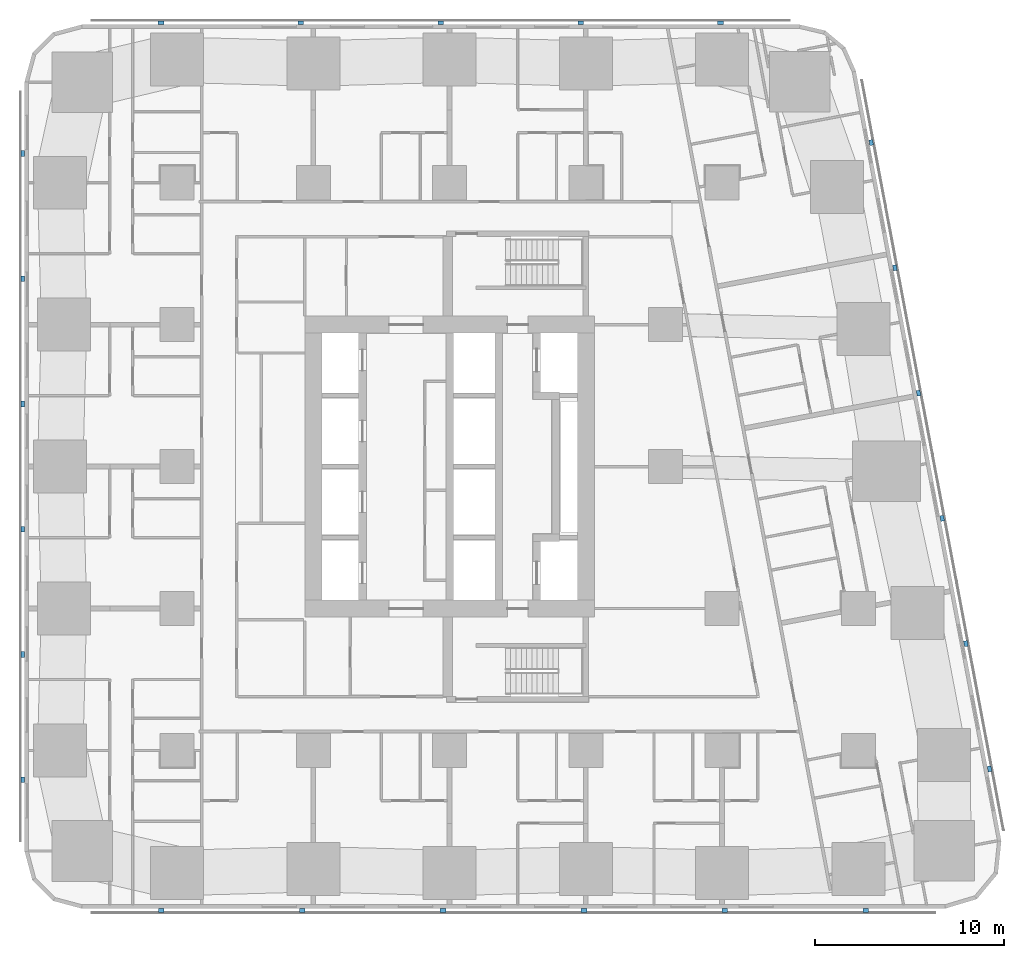
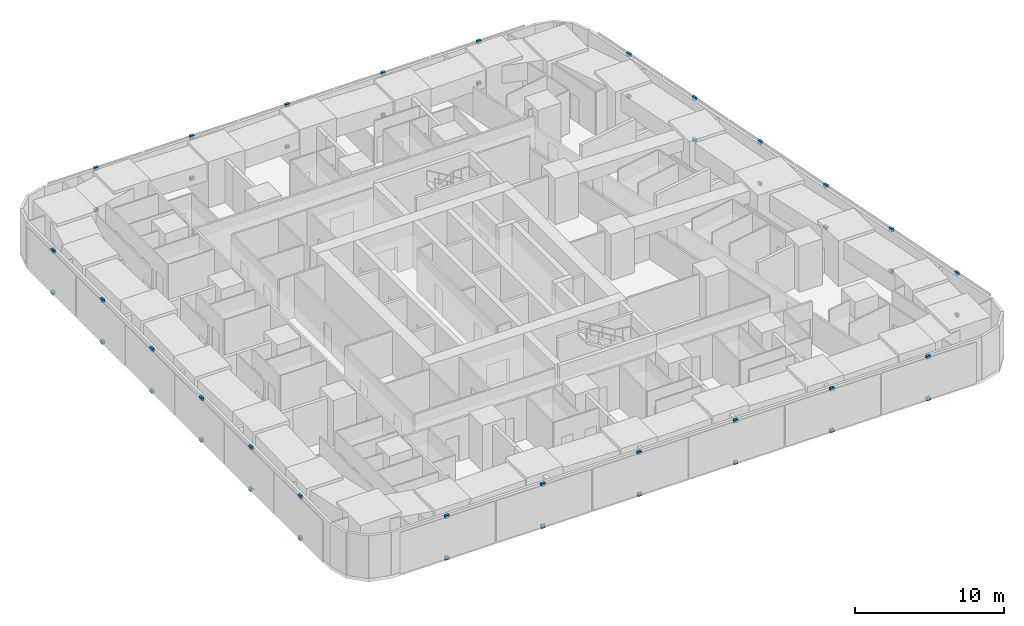
# One storey, part 11 of 15: 46 discrete accessories.
"""IFC4 building model written with IfcOpenShell, lengths in metres."""

from ifc_helpers import new_model, si_unit, direction, frame, origin, origin_2d, place, context, subcontext, project, spatial, rectangle, extrude, material, type_object, element, save


model = new_model("IFC4")

# Units and contexts
model_context = context("Model", 3, precision=1e-05, world=origin(), true_north=direction((0.0, 1.0)))
body_context = subcontext(model_context, "Body", "Model", "MODEL_VIEW")
ifc_project = project(units=[si_unit("LENGTHUNIT", "METRE"), si_unit("AREAUNIT", "SQUARE_METRE"), si_unit("VOLUMEUNIT", "CUBIC_METRE"), si_unit("PLANEANGLEUNIT", "RADIAN"), si_unit("MASSUNIT", "GRAM", prefix="KILO")], contexts=[model_context])

# Site, building, storey
site_placement = place(None, origin())
site = spatial("IfcSite", under=ifc_project, at=site_placement, CompositionType="ELEMENT")
building_placement = place(site_placement, origin())
building = spatial("IfcBuilding", under=site, at=building_placement, Name="Sheger Commons Tower", CompositionType="ELEMENT")
storey_placement = place(building_placement, frame((0.0, 0.0, 42.5)))
storey = spatial("IfcBuildingStorey", under=building, at=storey_placement, Name="L10", CompositionType="ELEMENT", Elevation=42.5)

# Discrete accessories
ifc_material = material(Name="Black painted steel bracket", Category="steel")
discrete_accessory_type = type_object("IfcDiscreteAccessoryType", Name="SCREEN BRACKET 300x200x250", PredefinedType="BRACKET", material=ifc_material)
for number, where, z_axis, x_axis, name in (
    (1, (6.37109375, -0.949951171875, -0.10009765625), (0.0, 0.0, 1.0), (1.0, 0.0, 0.0), "Solar screen foot bracket"),
    (2, (6.37109375, -0.949951171875, 3.300048828125), (0.0, 0.0, 1.0), (1.0, 0.0, 0.0), "Solar screen head bracket"),
    (3, (13.81396484375, -0.949951171875, -0.10009765625), (0.0, 0.0, 1.0), (1.0, 0.0, 0.0), "Solar screen foot bracket"),
    (4, (13.81396484375, -0.949951171875, 3.300048828125), (0.0, 0.0, 1.0), (1.0, 0.0, 0.0), "Solar screen head bracket"),
    (5, (21.257080078125, -0.949951171875, -0.10009765625), (0.0, 0.0, 1.0), (1.0, 0.0, 0.0), "Solar screen foot bracket"),
    (6, (21.257080078125, -0.949951171875, 3.300048828125), (0.0, 0.0, 1.0), (1.0, 0.0, 0.0), "Solar screen head bracket"),
    (7, (28.698974609375, -0.949951171875, -0.10009765625), (0.0, 0.0, 1.0), (1.0, 0.0, 0.0), "Solar screen foot bracket"),
    (8, (28.698974609375, -0.949951171875, 3.300048828125), (0.0, 0.0, 1.0), (1.0, 0.0, 0.0), "Solar screen head bracket"),
    (9, (36.14208984375, -0.949951171875, -0.10009765625), (0.0, 0.0, 1.0), (1.0, 0.0, 0.0), "Solar screen foot bracket"),
    (10, (36.14208984375, -0.949951171875, 3.300048828125), (0.0, 0.0, 1.0), (1.0, 0.0, 0.0), "Solar screen head bracket"),
    (11, (43.5849609375, -0.949951171875, -0.10009765625), (0.0, 0.0, 1.0), (1.0, 0.0, 0.0), "Solar screen foot bracket"),
    (12, (43.5849609375, -0.949951171875, 3.300048828125), (0.0, 0.0, 1.0), (1.0, 0.0, 0.0), "Solar screen head bracket"),
    (13, (50.134033203125, 6.527099609375, -0.10009765625), (0.0, 0.0, 1.0), (-0.185615165645, 0.982622516678, 0.0), "Solar screen foot bracket"),
    (14, (50.134033203125, 6.527099609375, 3.300048828125), (0.0, 0.0, 1.0), (-0.185615165645, 0.982622516678, 0.0), "Solar screen head bracket"),
    (15, (48.884033203125, 13.14599609375, -0.10009765625), (0.0, 0.0, 1.0), (-0.185615165645, 0.982622516678, 0.0), "Solar screen foot bracket"),
    (16, (48.884033203125, 13.14599609375, 3.300048828125), (0.0, 0.0, 1.0), (-0.185615165645, 0.982622516678, 0.0), "Solar screen head bracket"),
    (17, (47.633056640625, 19.76611328125, -0.10009765625), (0.0, 0.0, 1.0), (-0.185615165645, 0.982622516678, 0.0), "Solar screen foot bracket"),
    (18, (47.633056640625, 19.76611328125, 3.300048828125), (0.0, 0.0, 1.0), (-0.185615165645, 0.982622516678, 0.0), "Solar screen head bracket"),
    (19, (46.383056640625, 26.385009765625, -0.10009765625), (0.0, 0.0, 1.0), (-0.185615165645, 0.982622516678, 0.0), "Solar screen foot bracket"),
    (20, (46.383056640625, 26.385009765625, 3.300048828125), (0.0, 0.0, 1.0), (-0.185615165645, 0.982622516678, 0.0), "Solar screen head bracket"),
    (21, (45.133056640625, 33.0048828125, -0.10009765625), (0.0, 0.0, 1.0), (-0.185615165645, 0.982622516678, 0.0), "Solar screen foot bracket"),
    (22, (45.133056640625, 33.0048828125, 3.300048828125), (0.0, 0.0, 1.0), (-0.185615165645, 0.982622516678, 0.0), "Solar screen head bracket"),
    (23, (43.882080078125, 39.6240234375, -0.10009765625), (0.0, 0.0, 1.0), (-0.185615165645, 0.982622516678, 0.0), "Solar screen foot bracket"),
    (24, (43.882080078125, 39.6240234375, 3.300048828125), (0.0, 0.0, 1.0), (-0.185615165645, 0.982622516678, 0.0), "Solar screen head bracket"),
    (25, (35.9208984375, 45.949951171875, -0.10009765625), (0.0, 0.0, 1.0), (-1.0, 0.0, 0.0), "Solar screen foot bracket"),
    (26, (35.9208984375, 45.949951171875, 3.300048828125), (0.0, 0.0, 1.0), (-1.0, 0.0, 0.0), "Solar screen head bracket"),
    (27, (28.528076171875, 45.949951171875, -0.10009765625), (0.0, 0.0, 1.0), (-1.0, 0.0, 0.0), "Solar screen foot bracket"),
    (28, (28.528076171875, 45.949951171875, 3.300048828125), (0.0, 0.0, 1.0), (-1.0, 0.0, 0.0), "Solar screen head bracket"),
    (29, (21.134033203125, 45.949951171875, -0.10009765625), (0.0, 0.0, 1.0), (-1.0, 0.0, 0.0), "Solar screen foot bracket"),
    (30, (21.134033203125, 45.949951171875, 3.300048828125), (0.0, 0.0, 1.0), (-1.0, 0.0, 0.0), "Solar screen head bracket"),
    (31, (13.739990234375, 45.949951171875, -0.10009765625), (0.0, 0.0, 1.0), (-1.0, 0.0, 0.0), "Solar screen foot bracket"),
    (32, (13.739990234375, 45.949951171875, 3.300048828125), (0.0, 0.0, 1.0), (-1.0, 0.0, 0.0), "Solar screen head bracket"),
    (33, (6.346923828125, 45.949951171875, -0.10009765625), (0.0, 0.0, 1.0), (-1.0, 0.0, 0.0), "Solar screen foot bracket"),
    (34, (6.346923828125, 45.949951171875, 3.300048828125), (0.0, 0.0, 1.0), (-1.0, 0.0, 0.0), "Solar screen head bracket"),
    (35, (-0.949951171875, 39.0419921875, -0.10009765625), (0.0, 0.0, 1.0), (0.0, -1.0, 0.0), "Solar screen foot bracket"),
    (36, (-0.949951171875, 39.0419921875, 3.300048828125), (0.0, 0.0, 1.0), (0.0, -1.0, 0.0), "Solar screen head bracket"),
    (37, (-0.949951171875, 32.425048828125, -0.10009765625), (0.0, 0.0, 1.0), (0.0, -1.0, 0.0), "Solar screen foot bracket"),
    (38, (-0.949951171875, 32.425048828125, 3.300048828125), (0.0, 0.0, 1.0), (0.0, -1.0, 0.0), "Solar screen head bracket"),
    (39, (-0.949951171875, 25.80810546875, -0.10009765625), (0.0, 0.0, 1.0), (0.0, -1.0, 0.0), "Solar screen foot bracket"),
    (40, (-0.949951171875, 25.80810546875, 3.300048828125), (0.0, 0.0, 1.0), (0.0, -1.0, 0.0), "Solar screen head bracket"),
    (41, (-0.949951171875, 19.19189453125, -0.10009765625), (0.0, 0.0, 1.0), (0.0, -1.0, 0.0), "Solar screen foot bracket"),
    (42, (-0.949951171875, 19.19189453125, 3.300048828125), (0.0, 0.0, 1.0), (0.0, -1.0, 0.0), "Solar screen head bracket"),
    (43, (-0.949951171875, 12.574951171875, -0.10009765625), (0.0, 0.0, 1.0), (0.0, -1.0, 0.0), "Solar screen foot bracket"),
    (44, (-0.949951171875, 12.574951171875, 3.300048828125), (0.0, 0.0, 1.0), (0.0, -1.0, 0.0), "Solar screen head bracket"),
    (45, (-0.949951171875, 5.9580078125, -0.10009765625), (0.0, 0.0, 1.0), (0.0, -1.0, 0.0), "Solar screen foot bracket"),
    (46, (-0.949951171875, 5.9580078125, 3.300048828125), (0.0, 0.0, 1.0), (0.0, -1.0, 0.0), "Solar screen head bracket"),
):
    element("IfcDiscreteAccessory", number, at=place(storey_placement, frame(where, z_axis=z_axis, x_axis=x_axis)), inside=storey, type_object=discrete_accessory_type, Name=name, PredefinedType="BRACKET", context=body_context, shape_type="SweptSolid", body=[
        extrude(rectangle(XDim=0.300048828125, YDim=0.199951171875, at=origin_2d()), origin(), (0.0, 0.0, 1.0), 0.25),
    ])

save(model, "model.ifc")
